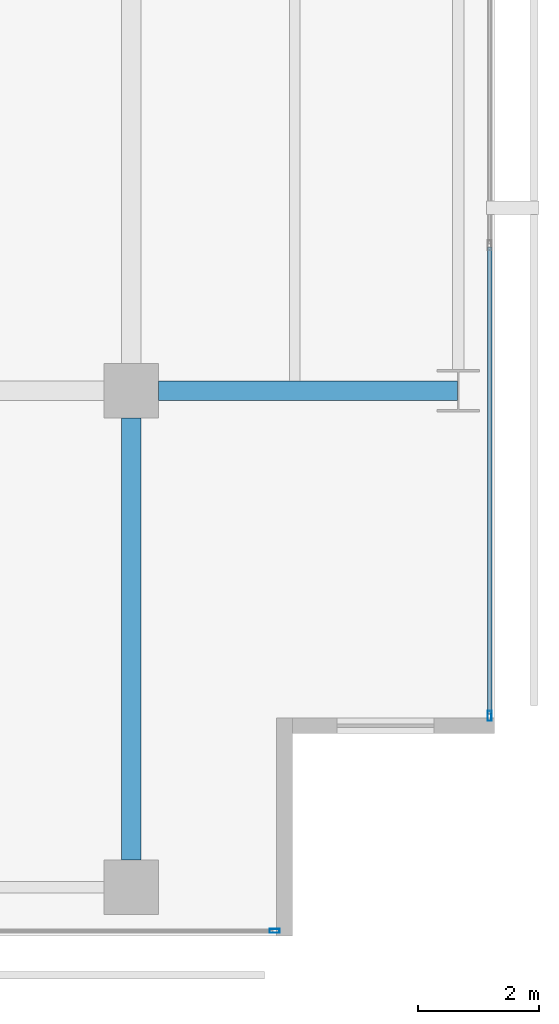
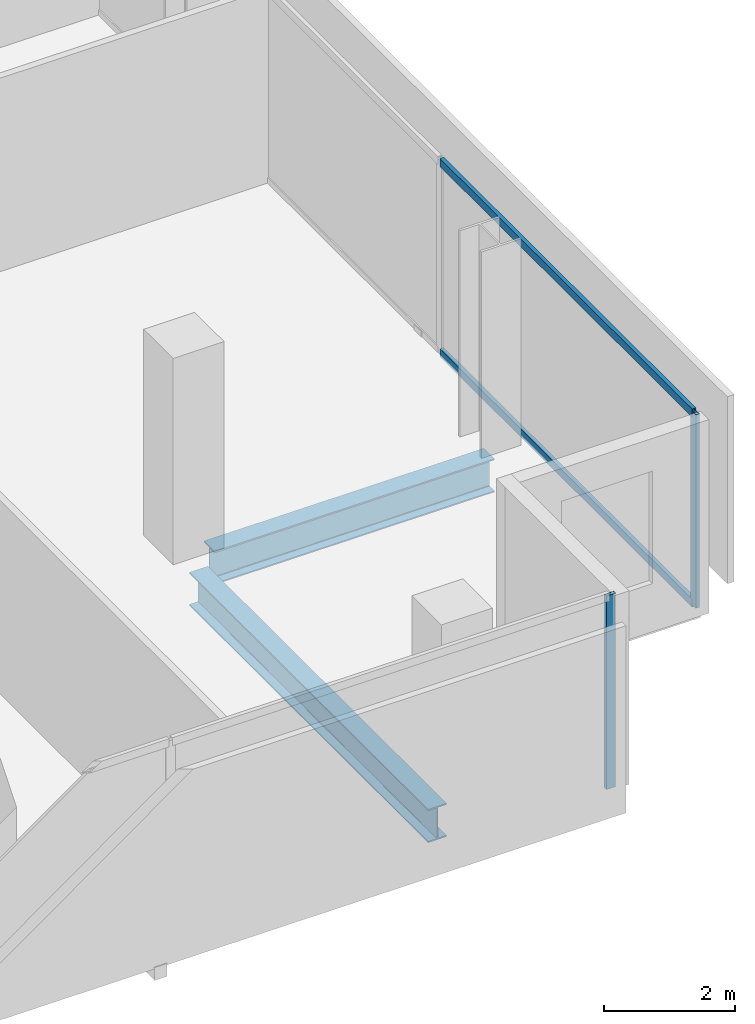
# One storey, part 16 of 40: 4 members, 2 beams, 2 elements without a shape of their own.
"""IFC4 building model written with IfcOpenShell, lengths in metres."""

from ifc_helpers import new_model, si_unit, direction, frame, origin, origin_2d, place, context, subcontext, project, spatial, hollow_rectangle, i_section, extrude, material, layer, layer_set, material_profile, profile_set, type_object, element, aggregate, save


model = new_model("IFC4")

# Units and contexts
model_context = context("Model", 3, precision=1e-05, world=origin(), true_north=direction((0.0, 1.0)))
body_context = subcontext(model_context, "Body", "Model", "MODEL_VIEW")
ifc_project = project(units=[si_unit("LENGTHUNIT", "METRE"), si_unit("AREAUNIT", "SQUARE_METRE"), si_unit("VOLUMEUNIT", "CUBIC_METRE"), si_unit("PLANEANGLEUNIT", "RADIAN"), si_unit("MASSUNIT", "GRAM", prefix="KILO")], contexts=[model_context])

# Site, building, storey
site_placement = place(None, origin())
site = spatial("IfcSite", under=ifc_project, at=site_placement, CompositionType="ELEMENT")
building_placement = place(site_placement, origin())
building = spatial("IfcBuilding", under=site, at=building_placement, Name="Maruvema Waterfront Hotel and Observation Tower", CompositionType="ELEMENT")
storey_placement = place(building_placement, frame((0.0, 0.0, 50.050048828125)))
storey = spatial("IfcBuildingStorey", under=building, at=storey_placement, Name="L11", CompositionType="ELEMENT", Elevation=50.050048828125)

# Curtain wall, members
ifc_material_1 = material(Name="Anodised bronze aluminium and solar-control low-E IGU", Category="aluminium")
ifc_layer = layer(ifc_material_1, 0.159912109375, Name="Zone 1 Bronze Inner Thermal Curtain Wall System CW-02")
ifc_layer_set = layer_set([ifc_layer], Name="Anodised bronze aluminium and solar-control low-E IGU")
curtain_wall_type = type_object("IfcCurtainWallType", Name="Zone 1 Bronze Inner Thermal Curtain Wall System CW-02", PredefinedType="USERDEFINED", material=ifc_layer_set)
curtain_wall_1_placement = place(storey_placement, origin())
curtain_wall_1 = element("IfcCurtainWall", 1, at=curtain_wall_1_placement, inside=storey, type_object=curtain_wall_type, Name="L11 Curtain Wall CW-L11-E", ObjectType="UNITISED CURTAIN WALL", PredefinedType="USERDEFINED")
ifc_material_2 = material(Name="Anodised architectural bronze aluminium", Category="aluminium")
ifc_material_profile_1 = material_profile(ifc_material_2, hollow_rectangle(XDim=0.070068359375, YDim=0.14990234375, WallThickness=0.00390625, at=origin_2d()), Name="ALU-T70x150")
ifc_profile_set_1 = profile_set([ifc_material_profile_1], Name="Anodised architectural bronze aluminium")
member_type_1 = type_object("IfcMemberType", Name="Curtain Wall Horizontal Transom ALU-T70x150", PredefinedType="USERDEFINED", material=ifc_profile_set_1)
member_1_placement = place(storey_placement, frame((64.719970703125, 3.659912109375, 0.030029296875), z_axis=(0.0, 1.0, 0.0), x_axis=(-1.0, 0.0, 0.0)))
member_1 = element("IfcMember", 2, at=member_1_placement, type_object=member_type_1, Name="CW-02 transom 1.1", ObjectType="TRANSOM", PredefinedType="USERDEFINED", context=body_context, shape_type="SweptSolid", body=[
    extrude(hollow_rectangle(XDim=0.070068359375, YDim=0.14990234375, WallThickness=0.00390625, at=origin_2d()), origin(), (0.0, 0.0, 1.0), 7.710205078125),
])
member_2_placement = place(storey_placement, frame((64.719970703125, 3.659912109375, 3.579833984375), z_axis=(0.0, 1.0, 0.0), x_axis=(-1.0, 0.0, 0.0)))
member_2 = element("IfcMember", 3, at=member_2_placement, type_object=member_type_1, Name="CW-02 transom 1.2", ObjectType="TRANSOM", PredefinedType="USERDEFINED", context=body_context, shape_type="SweptSolid", body=[
    extrude(hollow_rectangle(XDim=0.070068359375, YDim=0.14990234375, WallThickness=0.00390625, at=origin_2d()), origin(), (0.0, 0.0, 1.0), 7.710205078125),
])

# Curtain wall, member
curtain_wall_2_placement = place(storey_placement, origin())
curtain_wall_2 = element("IfcCurtainWall", 4, at=curtain_wall_2_placement, inside=storey, type_object=curtain_wall_type, Name="L11 Curtain Wall CW-L11-S", ObjectType="UNITISED CURTAIN WALL", PredefinedType="USERDEFINED")
ifc_material_3 = material(Name="Anodised architectural bronze aluminium", Category="aluminium")
ifc_material_profile_2 = material_profile(ifc_material_3, hollow_rectangle(XDim=0.06494140625, YDim=0.1650390625, WallThickness=0.00390625, at=origin_2d()), Name="ALU-M65x165")
ifc_profile_set_2 = profile_set([ifc_material_profile_2], Name="Anodised architectural bronze aluminium")
member_type_2 = type_object("IfcMemberType", Name="Curtain Wall Primary Mullion ALU-M65x165", PredefinedType="MULLION", material=ifc_profile_set_2)
member_3_placement = place(storey_placement, frame((61.169921875, 0.080078125, 0.0), z_axis=(0.0, 0.0, 1.0), x_axis=(0.0, 1.0, 0.0)))
member_3 = element("IfcMember", 5, at=member_3_placement, type_object=member_type_2, Name="CW-02 mullion 7", PredefinedType="MULLION", context=body_context, shape_type="SweptSolid", body=[
    extrude(hollow_rectangle(XDim=0.06494140625, YDim=0.1650390625, WallThickness=0.00390625, at=origin_2d()), origin(), (0.0, 0.0, 1.0), 3.60986328125),
])
aggregate(curtain_wall_2, [member_3])

# Member
member_4_placement = place(storey_placement, frame((64.719970703125, 3.6298828125, 0.0), z_axis=(0.0, 0.0, 1.0), x_axis=(-1.0, 0.0, 0.0)))
member_4 = element("IfcMember", 6, at=member_4_placement, type_object=member_type_2, Name="CW-02 mullion 1", PredefinedType="MULLION", context=body_context, shape_type="SweptSolid", body=[
    extrude(hollow_rectangle(XDim=0.06494140625, YDim=0.1650390625, WallThickness=0.00390625, at=origin_2d()), origin(), (0.0, 0.0, 1.0), 3.60986328125),
])

aggregate(curtain_wall_1, [member_4, member_1, member_2])

# Beams
ifc_material_4 = material(Name="Steel ASTM A572 Grade 50", Category="steel")
ifc_material_profile_3 = material_profile(ifc_material_4, i_section(OverallWidth=0.326904296875, OverallDepth=0.6220703125, WebThickness=0.015380859375, FlangeThickness=0.0244140625, FilletRadius=0.01806640625, at=origin_2d()), Name="W610x195.0")
ifc_profile_set_3 = profile_set([ifc_material_profile_3], Name="Steel ASTM A572 Grade 50")
beam_type = type_object("IfcBeamType", Name="Primary Floor Girder W610x195.0", PredefinedType="BEAM", material=ifc_profile_set_3)
beam_1_placement = place(storey_placement, frame((59.25, 9.0, -0.551025390625), z_axis=(1.0, 0.0, 0.0), x_axis=(0.0, 1.0, 0.0)))
element("IfcBeam", 7, at=beam_1_placement, inside=storey, type_object=beam_type, Name="L11 Floor Girder EW-12", PredefinedType="BEAM", context=body_context, shape_type="SweptSolid", body=[
    extrude(i_section(OverallWidth=0.326904296875, OverallDepth=0.6220703125, WebThickness=0.015380859375, FlangeThickness=0.0244140625, FilletRadius=0.01806640625, at=origin_2d()), origin(), (0.0, 0.0, 1.0), 4.93603515625),
])
beam_2_placement = place(storey_placement, frame((58.800048828125, 1.25, -0.551025390625), z_axis=(0.0, 1.0, 0.0), x_axis=(-1.0, 0.0, 0.0)))
element("IfcBeam", 8, at=beam_2_placement, inside=storey, type_object=beam_type, Name="L11 Floor Girder NS-27", PredefinedType="BEAM", context=body_context, shape_type="SweptSolid", body=[
    extrude(i_section(OverallWidth=0.326904296875, OverallDepth=0.6220703125, WebThickness=0.015380859375, FlangeThickness=0.0244140625, FilletRadius=0.01806640625, at=origin_2d()), origin(), (0.0, 0.0, 1.0), 7.300048828125),
])

save(model, "model.ifc")
